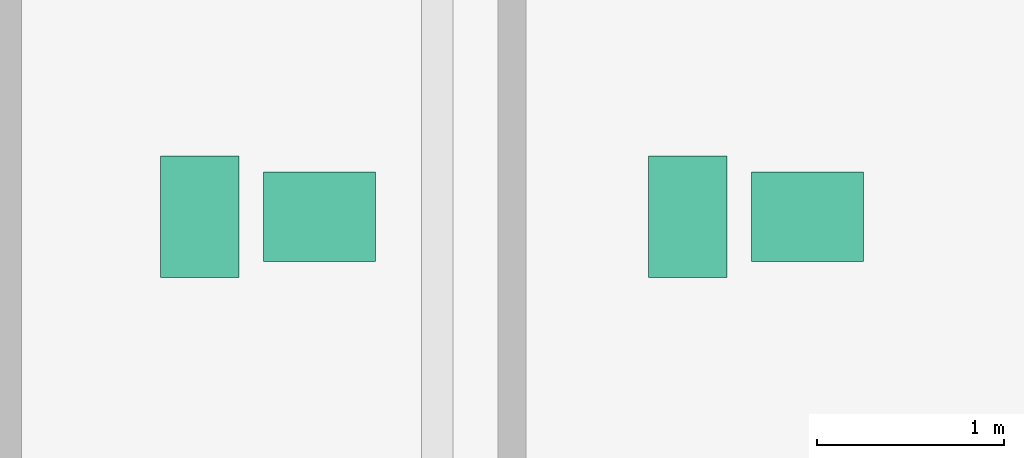
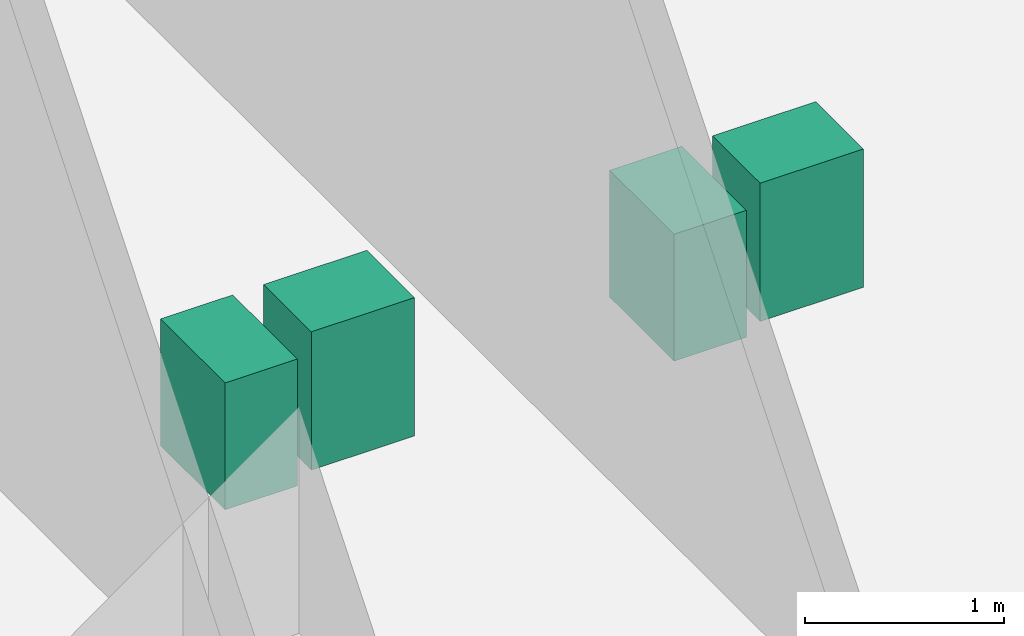
# One storey, part 16 of 16: 4 sanitary terminals.
"""IFC4 building model written with IfcOpenShell, lengths in metres."""

from ifc_helpers import new_model, si_unit, direction, frame, origin, origin_2d, place, context, subcontext, project, spatial, rectangle, extrude, material, type_object, element, save


model = new_model("IFC4")

# Units and contexts
model_context = context("Model", 3, precision=1e-05, world=origin(), true_north=direction((0.0, 1.0)))
body_context = subcontext(model_context, "Body", "Model", "MODEL_VIEW")
ifc_project = project(units=[si_unit("LENGTHUNIT", "METRE"), si_unit("AREAUNIT", "SQUARE_METRE"), si_unit("VOLUMEUNIT", "CUBIC_METRE"), si_unit("PLANEANGLEUNIT", "RADIAN"), si_unit("MASSUNIT", "GRAM", prefix="KILO")], contexts=[model_context])

# Site, building, storey
site_placement = place(None, origin())
site = spatial("IfcSite", under=ifc_project, at=site_placement, CompositionType="ELEMENT")
building_placement = place(site_placement, origin())
building = spatial("IfcBuilding", under=site, at=building_placement, Name="Solmavex Isthmus Hotel", CompositionType="ELEMENT")
storey_placement = place(building_placement, frame((0.0, 0.0, 5.39990234375)))
storey = spatial("IfcBuildingStorey", under=building, at=storey_placement, Name="L02", CompositionType="ELEMENT", Elevation=5.39990234375)

# Sanitary terminals
ifc_material = material(Name="Vitreous china ceramic", Category="ceramic")
sanitary_terminal_type_1 = type_object("IfcSanitaryTerminalType", Name="SAN-BASIN", PredefinedType="WASHHANDBASIN", material=ifc_material)
for number, where, z_axis, x_axis, name in (
    (1, (-19.6298828125, -18.25, 0.0), (0.0, 0.0, 1.0), (1.0, 0.0, 0.0), "Vanity Washbasin L02-6"),
    (2, (-17.02001953125, -18.25, 0.0), (0.0, 0.0, 1.0), (1.0, 0.0, 0.0), "Vanity Washbasin L02-7"),
):
    element("IfcSanitaryTerminal", number, at=place(storey_placement, frame(where, z_axis=z_axis, x_axis=x_axis)), inside=storey, type_object=sanitary_terminal_type_1, Name=name, PredefinedType="WASHHANDBASIN", context=body_context, shape_type="SweptSolid", body=[
        extrude(rectangle(XDim=0.60009765625, YDim=0.47998046875, at=origin_2d()), origin(), (0.0, 0.0, 1.0), 0.85009765625),
    ])
sanitary_terminal_type_2 = type_object("IfcSanitaryTerminalType", Name="SAN-WC-SUITE", PredefinedType="TOILETPAN", material=ifc_material)
for number, where, z_axis, x_axis, name in (
    (3, (-20.27001953125, -18.25, 0.0), (0.0, 0.0, 1.0), (1.0, 0.0, 0.0), "Water Closet L02-6"),
    (4, (-17.659912109375, -18.25, 0.0), (0.0, 0.0, 1.0), (1.0, 0.0, 0.0), "Water Closet L02-7"),
):
    element("IfcSanitaryTerminal", number, at=place(storey_placement, frame(where, z_axis=z_axis, x_axis=x_axis)), inside=storey, type_object=sanitary_terminal_type_2, Name=name, PredefinedType="TOILETPAN", context=body_context, shape_type="SweptSolid", body=[
        extrude(rectangle(XDim=0.419921875, YDim=0.64990234375, at=origin_2d()), origin(), (0.0, 0.0, 1.0), 0.780029296875),
    ])

save(model, "model.ifc")
